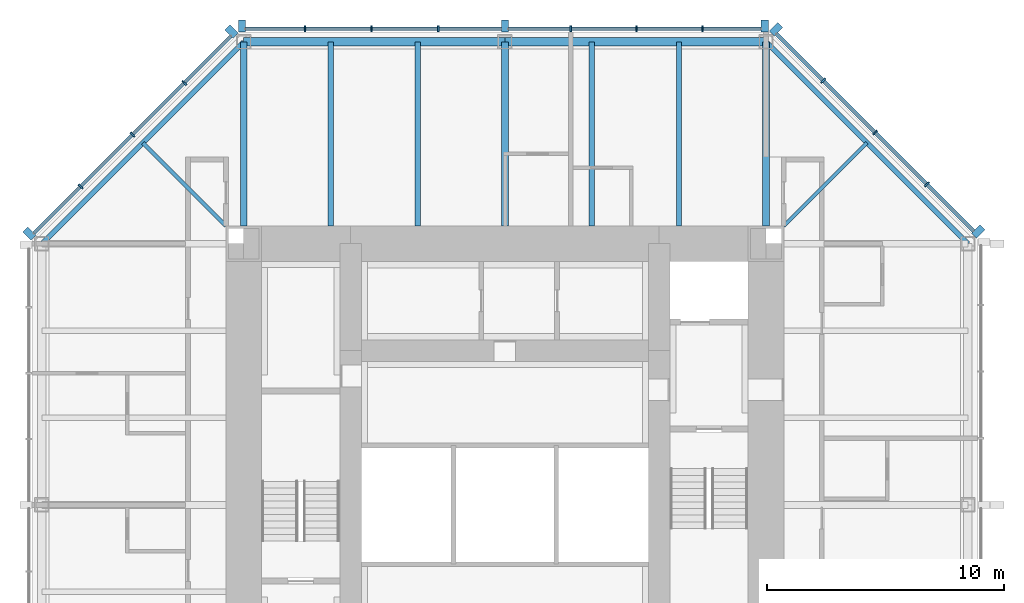
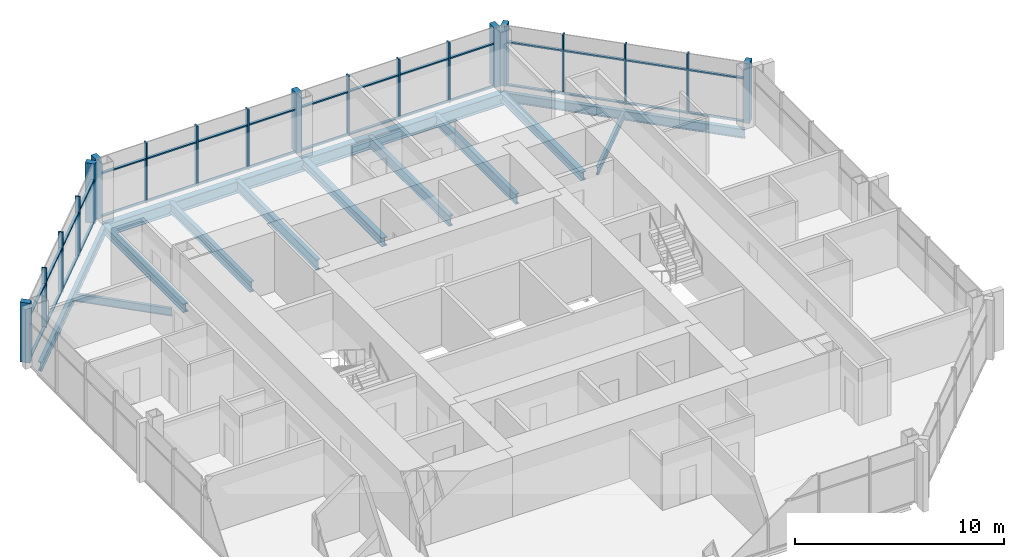
# One storey, part 5 of 11: 51 members, 13 beams, 3 elements without a shape of their own.
"""IFC4 building model written with IfcOpenShell, lengths in metres."""

from ifc_helpers import new_model, si_unit, direction, frame, origin, origin_2d, place, context, subcontext, project, spatial, rectangle, i_section, extrude, material, material_profile, profile_set, type_object, element, aggregate, save


model = new_model("IFC4")

# Units and contexts
model_context = context("Model", 3, precision=1e-05, world=origin(), true_north=direction((0.0, 1.0)))
body_context = subcontext(model_context, "Body", "Model", "MODEL_VIEW")
ifc_project = project(units=[si_unit("LENGTHUNIT", "METRE"), si_unit("AREAUNIT", "SQUARE_METRE"), si_unit("VOLUMEUNIT", "CUBIC_METRE"), si_unit("PLANEANGLEUNIT", "RADIAN"), si_unit("MASSUNIT", "GRAM", prefix="KILO")], contexts=[model_context])

# Site, building, storey
site_placement = place(None, origin())
site = spatial("IfcSite", under=ifc_project, at=site_placement, CompositionType="ELEMENT")
building_placement = place(site_placement, origin())
building = spatial("IfcBuilding", under=site, at=building_placement, Name="Trevanion Tower", CompositionType="ELEMENT")
storey_placement = place(building_placement, frame((0.0, 0.0, 243.199951171875)))
storey = spatial("IfcBuildingStorey", under=building, at=storey_placement, Name="L59", CompositionType="ELEMENT", Elevation=243.199951171875)

# Beams
ifc_material_1 = material(Name="Steel ASTM A992 Grade 50", Category="steel")
ifc_material_profile_1 = material_profile(ifc_material_1, i_section(OverallWidth=0.228271484375, OverallDepth=0.607177734375, WebThickness=0.01123046875, FlangeThickness=0.017333984375, at=origin_2d()), Name="W24X76")
ifc_profile_set_1 = profile_set([ifc_material_profile_1], Name="Steel ASTM A992 Grade 50")
beam_type_1 = type_object("IfcBeamType", Name="B11 W24X76", PredefinedType="BEAM", material=ifc_profile_set_1)
for number, where, z_axis, x_axis, name in (
    (1, (7.333251953125, 11.75, -0.493408203125), (0.0, 1.0, 0.0), (-1.0, 0.0, 0.0), "B11 L59"),
    (2, (3.666748046875, 11.75, -0.493408203125), (0.0, 1.0, 0.0), (-1.0, 0.0, 0.0), "B11 L59"),
    (3, (-3.666748046875, 11.75, -0.493408203125), (0.0, 1.0, 0.0), (-1.0, 0.0, 0.0), "B11 L59"),
    (4, (-7.333251953125, 11.75, -0.493408203125), (0.0, 1.0, 0.0), (-1.0, 0.0, 0.0), "B11 L59"),
):
    element("IfcBeam", number, at=place(storey_placement, frame(where, z_axis=z_axis, x_axis=x_axis)), inside=storey, type_object=beam_type_1, Name=name, PredefinedType="BEAM", context=body_context, shape_type="SweptSolid", body=[
        extrude(i_section(OverallWidth=0.228271484375, OverallDepth=0.607177734375, WebThickness=0.01123046875, FlangeThickness=0.017333984375, at=origin_2d()), origin(), (0.0, 0.0, 1.0), 7.75),
    ])
ifc_material_2 = material(Name="Steel ASTM A992 Grade 50", Category="steel")
ifc_material_profile_2 = material_profile(ifc_material_2, i_section(OverallWidth=0.15234375, OverallDepth=0.449462890625, WebThickness=0.007568359375, FlangeThickness=0.0107421875, at=origin_2d()), Name="W18X35")
ifc_profile_set_2 = profile_set([ifc_material_profile_2], Name="Steel ASTM A992 Grade 50")
beam_type_2 = type_object("IfcBeamType", Name="B12 W18X35", PredefinedType="BEAM", material=ifc_profile_set_2)
for number, where, z_axis, x_axis, name in (
    (5, (11.75, 11.75, -0.414794921875), (0.707106781187, 0.707106781187, 0.0), (-0.707106781187, 0.707106781187, 0.0), "B12 L59"),
    (6, (-11.75, 11.75, -0.414794921875), (-0.707106781187, 0.707106781187, 0.0), (-0.707106781187, -0.707106781187, 0.0), "B12 L59"),
):
    element("IfcBeam", number, at=place(storey_placement, frame(where, z_axis=z_axis, x_axis=x_axis)), inside=storey, type_object=beam_type_2, Name=name, PredefinedType="BEAM", context=body_context, shape_type="SweptSolid", body=[
        extrude(i_section(OverallWidth=0.15234375, OverallDepth=0.449462890625, WebThickness=0.007568359375, FlangeThickness=0.0107421875, at=origin_2d()), origin(), (0.0, 0.0, 1.0), 4.94970703125),
    ])

# Curtain wall, members
ifc_material_3 = material(Name="Aluminium and glass", Category="aluminium")
curtain_wall_type = type_object("IfcCurtainWallType", Name="CW3 curtain wall", PredefinedType="USERDEFINED", material=ifc_material_3)
curtain_wall_1_placement = place(storey_placement, origin())
curtain_wall_1 = element("IfcCurtainWall", 7, at=curtain_wall_1_placement, inside=storey, type_object=curtain_wall_type, Name="CW3 L59 1", ObjectType="UNITISED CURTAIN WALL", PredefinedType="USERDEFINED")
ifc_material_4 = material(Name="Aluminium extrusion, anodised bronze", Category="aluminium")
ifc_material_profile_3 = material_profile(ifc_material_4, rectangle(XDim=0.074951171875, YDim=0.25, at=origin_2d()), Name="CW3 mullion")
ifc_profile_set_3 = profile_set([ifc_material_profile_3], Name="Aluminium extrusion, anodised bronze")
member_type_1 = type_object("IfcMemberType", Name="CW3 mullion", PredefinedType="MULLION", material=ifc_profile_set_3)
member_1_placement = place(storey_placement, frame((17.775390625, 13.502197265625, -0.18994140625), z_axis=(0.0, 0.0, 1.0), x_axis=(-0.707106781187, 0.707106781187, 0.0)))
member_1 = element("IfcMember", 8, at=member_1_placement, type_object=member_type_1, Name="CW3 mullion 2", PredefinedType="MULLION", context=body_context, shape_type="SweptSolid", body=[
    extrude(rectangle(XDim=0.074951171875, YDim=0.25, at=origin_2d()), origin(), (0.0, 0.0, 1.0), 3.5),
])
member_2_placement = place(storey_placement, frame((15.593017578125, 15.684814453125, -0.18994140625), z_axis=(0.0, 0.0, 1.0), x_axis=(-0.707106781187, 0.707106781187, 0.0)))
member_2 = element("IfcMember", 9, at=member_2_placement, type_object=member_type_1, Name="CW3 mullion 3", PredefinedType="MULLION", context=body_context, shape_type="SweptSolid", body=[
    extrude(rectangle(XDim=0.074951171875, YDim=0.25, at=origin_2d()), origin(), (0.0, 0.0, 1.0), 3.5),
])
member_3_placement = place(storey_placement, frame((13.410400390625, 17.867431640625, -0.18994140625), z_axis=(0.0, 0.0, 1.0), x_axis=(-0.707106781187, 0.707106781187, 0.0)))
member_3 = element("IfcMember", 10, at=member_3_placement, type_object=member_type_1, Name="CW3 mullion 4", PredefinedType="MULLION", context=body_context, shape_type="SweptSolid", body=[
    extrude(rectangle(XDim=0.074951171875, YDim=0.25, at=origin_2d()), origin(), (0.0, 0.0, 1.0), 3.5),
])

curtain_wall_2_placement = place(storey_placement, origin())
curtain_wall_2 = element("IfcCurtainWall", 11, at=curtain_wall_2_placement, inside=storey, type_object=curtain_wall_type, Name="CW3 L59 2", ObjectType="UNITISED CURTAIN WALL", PredefinedType="USERDEFINED")
member_4_placement = place(storey_placement, frame((8.323486328125, 20.050048828125, -0.18994140625), z_axis=(0.0, 0.0, 1.0), x_axis=(-1.0, 0.0, 0.0)))
member_4 = element("IfcMember", 12, at=member_4_placement, type_object=member_type_1, Name="CW3 mullion 2", PredefinedType="MULLION", context=body_context, shape_type="SweptSolid", body=[
    extrude(rectangle(XDim=0.074951171875, YDim=0.25, at=origin_2d()), origin(), (0.0, 0.0, 1.0), 3.5),
])
member_5_placement = place(storey_placement, frame((5.548828125, 20.050048828125, -0.18994140625), z_axis=(0.0, 0.0, 1.0), x_axis=(-1.0, 0.0, 0.0)))
member_5 = element("IfcMember", 13, at=member_5_placement, type_object=member_type_1, Name="CW3 mullion 3", PredefinedType="MULLION", context=body_context, shape_type="SweptSolid", body=[
    extrude(rectangle(XDim=0.074951171875, YDim=0.25, at=origin_2d()), origin(), (0.0, 0.0, 1.0), 3.5),
])
member_6_placement = place(storey_placement, frame((2.7744140625, 20.050048828125, -0.18994140625), z_axis=(0.0, 0.0, 1.0), x_axis=(-1.0, 0.0, 0.0)))
member_6 = element("IfcMember", 14, at=member_6_placement, type_object=member_type_1, Name="CW3 mullion 4", PredefinedType="MULLION", context=body_context, shape_type="SweptSolid", body=[
    extrude(rectangle(XDim=0.074951171875, YDim=0.25, at=origin_2d()), origin(), (0.0, 0.0, 1.0), 3.5),
])
member_7_placement = place(storey_placement, frame((-2.806884765625, 20.050048828125, -0.18994140625), z_axis=(0.0, 0.0, 1.0), x_axis=(-1.0, 0.0, 0.0)))
member_7 = element("IfcMember", 15, at=member_7_placement, type_object=member_type_1, Name="CW3 mullion 6", PredefinedType="MULLION", context=body_context, shape_type="SweptSolid", body=[
    extrude(rectangle(XDim=0.074951171875, YDim=0.25, at=origin_2d()), origin(), (0.0, 0.0, 1.0), 3.5),
])
member_8_placement = place(storey_placement, frame((-5.614013671875, 20.050048828125, -0.18994140625), z_axis=(0.0, 0.0, 1.0), x_axis=(-1.0, 0.0, 0.0)))
member_8 = element("IfcMember", 16, at=member_8_placement, type_object=member_type_1, Name="CW3 mullion 7", PredefinedType="MULLION", context=body_context, shape_type="SweptSolid", body=[
    extrude(rectangle(XDim=0.074951171875, YDim=0.25, at=origin_2d()), origin(), (0.0, 0.0, 1.0), 3.5),
])
member_9_placement = place(storey_placement, frame((-8.4208984375, 20.050048828125, -0.18994140625), z_axis=(0.0, 0.0, 1.0), x_axis=(-1.0, 0.0, 0.0)))
member_9 = element("IfcMember", 17, at=member_9_placement, type_object=member_type_1, Name="CW3 mullion 8", PredefinedType="MULLION", context=body_context, shape_type="SweptSolid", body=[
    extrude(rectangle(XDim=0.074951171875, YDim=0.25, at=origin_2d()), origin(), (0.0, 0.0, 1.0), 3.5),
])

curtain_wall_3_placement = place(storey_placement, origin())
curtain_wall_3 = element("IfcCurtainWall", 18, at=curtain_wall_3_placement, inside=storey, type_object=curtain_wall_type, Name="CW3 L59 3", ObjectType="UNITISED CURTAIN WALL", PredefinedType="USERDEFINED")
member_10_placement = place(storey_placement, frame((-13.502197265625, 17.775390625, -0.18994140625), z_axis=(0.0, 0.0, 1.0), x_axis=(-0.707106781187, -0.707106781187, 0.0)))
member_10 = element("IfcMember", 19, at=member_10_placement, type_object=member_type_1, Name="CW3 mullion 2", PredefinedType="MULLION", context=body_context, shape_type="SweptSolid", body=[
    extrude(rectangle(XDim=0.074951171875, YDim=0.25, at=origin_2d()), origin(), (0.0, 0.0, 1.0), 3.5),
])
member_11_placement = place(storey_placement, frame((-15.684814453125, 15.593017578125, -0.18994140625), z_axis=(0.0, 0.0, 1.0), x_axis=(-0.707106781187, -0.707106781187, 0.0)))
member_11 = element("IfcMember", 20, at=member_11_placement, type_object=member_type_1, Name="CW3 mullion 3", PredefinedType="MULLION", context=body_context, shape_type="SweptSolid", body=[
    extrude(rectangle(XDim=0.074951171875, YDim=0.25, at=origin_2d()), origin(), (0.0, 0.0, 1.0), 3.5),
])
member_12_placement = place(storey_placement, frame((-17.867431640625, 13.410400390625, -0.18994140625), z_axis=(0.0, 0.0, 1.0), x_axis=(-0.707106781187, -0.707106781187, 0.0)))
member_12 = element("IfcMember", 21, at=member_12_placement, type_object=member_type_1, Name="CW3 mullion 4", PredefinedType="MULLION", context=body_context, shape_type="SweptSolid", body=[
    extrude(rectangle(XDim=0.074951171875, YDim=0.25, at=origin_2d()), origin(), (0.0, 0.0, 1.0), 3.5),
])

# Member
ifc_material_5 = material(Name="Aluminium extrusion, anodised bronze", Category="aluminium")
ifc_material_profile_4 = material_profile(ifc_material_5, rectangle(XDim=0.300048828125, YDim=0.5, at=origin_2d()), Name="CW3 pier mullion")
ifc_profile_set_4 = profile_set([ifc_material_profile_4], Name="Aluminium extrusion, anodised bronze")
member_type_2 = type_object("IfcMemberType", Name="CW3 pier mullion", PredefinedType="MULLION", material=ifc_profile_set_4)
member_13_placement = place(storey_placement, frame((19.9404296875, 11.51416015625, -0.18994140625), z_axis=(0.0, 0.0, 1.0), x_axis=(-0.707106781187, 0.707106781187, 0.0)))
member_13 = element("IfcMember", 22, at=member_13_placement, type_object=member_type_2, Name="CW3 pier mullion 1", PredefinedType="MULLION", context=body_context, shape_type="SweptSolid", body=[
    extrude(rectangle(XDim=0.300048828125, YDim=0.5, at=origin_2d()), origin(), (0.0, 0.0, 1.0), 3.5),
])

member_14_placement = place(storey_placement, frame((11.42236328125, 20.0322265625, -0.18994140625), z_axis=(0.0, 0.0, 1.0), x_axis=(-0.707106781187, 0.707106781187, 0.0)))
member_14 = element("IfcMember", 23, at=member_14_placement, type_object=member_type_2, Name="CW3 pier mullion 5", PredefinedType="MULLION", context=body_context, shape_type="SweptSolid", body=[
    extrude(rectangle(XDim=0.300048828125, YDim=0.5, at=origin_2d()), origin(), (0.0, 0.0, 1.0), 3.5),
])

member_15_placement = place(storey_placement, frame((10.94775390625, 20.175048828125, -0.18994140625), z_axis=(0.0, 0.0, 1.0), x_axis=(-1.0, 0.0, 0.0)))
member_15 = element("IfcMember", 24, at=member_15_placement, type_object=member_type_2, Name="CW3 pier mullion 1", PredefinedType="MULLION", context=body_context, shape_type="SweptSolid", body=[
    extrude(rectangle(XDim=0.300048828125, YDim=0.5, at=origin_2d()), origin(), (0.0, 0.0, 1.0), 3.5),
])

member_16_placement = place(storey_placement, frame((0.0, 20.175048828125, -0.18994140625), z_axis=(0.0, 0.0, 1.0), x_axis=(-1.0, 0.0, 0.0)))
member_16 = element("IfcMember", 25, at=member_16_placement, type_object=member_type_2, Name="CW3 pier mullion 5", PredefinedType="MULLION", context=body_context, shape_type="SweptSolid", body=[
    extrude(rectangle(XDim=0.300048828125, YDim=0.5, at=origin_2d()), origin(), (0.0, 0.0, 1.0), 3.5),
])

member_17_placement = place(storey_placement, frame((-11.077880859375, 20.175048828125, -0.18994140625), z_axis=(0.0, 0.0, 1.0), x_axis=(-1.0, 0.0, 0.0)))
member_17 = element("IfcMember", 26, at=member_17_placement, type_object=member_type_2, Name="CW3 pier mullion 9", PredefinedType="MULLION", context=body_context, shape_type="SweptSolid", body=[
    extrude(rectangle(XDim=0.300048828125, YDim=0.5, at=origin_2d()), origin(), (0.0, 0.0, 1.0), 3.5),
])

member_18_placement = place(storey_placement, frame((-11.51416015625, 19.9404296875, -0.18994140625), z_axis=(0.0, 0.0, 1.0), x_axis=(-0.707106781187, -0.707106781187, 0.0)))
member_18 = element("IfcMember", 27, at=member_18_placement, type_object=member_type_2, Name="CW3 pier mullion 1", PredefinedType="MULLION", context=body_context, shape_type="SweptSolid", body=[
    extrude(rectangle(XDim=0.300048828125, YDim=0.5, at=origin_2d()), origin(), (0.0, 0.0, 1.0), 3.5),
])

member_19_placement = place(storey_placement, frame((-20.0322265625, 11.42236328125, -0.18994140625), z_axis=(0.0, 0.0, 1.0), x_axis=(-0.707106781187, -0.707106781187, 0.0)))
member_19 = element("IfcMember", 28, at=member_19_placement, type_object=member_type_2, Name="CW3 pier mullion 5", PredefinedType="MULLION", context=body_context, shape_type="SweptSolid", body=[
    extrude(rectangle(XDim=0.300048828125, YDim=0.5, at=origin_2d()), origin(), (0.0, 0.0, 1.0), 3.5),
])

ifc_material_6 = material(Name="Aluminium extrusion, anodised bronze", Category="aluminium")
ifc_material_profile_5 = material_profile(ifc_material_6, rectangle(XDim=0.14990234375, YDim=0.074951171875, at=origin_2d()), Name="CW3 transom")
ifc_profile_set_5 = profile_set([ifc_material_profile_5], Name="Aluminium extrusion, anodised bronze")
member_type_3 = type_object("IfcMemberType", Name="CW3 transom", PredefinedType="USERDEFINED", material=ifc_profile_set_5)
member_20_placement = place(storey_placement, frame((19.745849609375, 11.531982421875, -0.15234375), z_axis=(-0.707106781187, 0.707106781187, 0.0), x_axis=(-0.707106781187, -0.707106781187, 0.0)))
member_20 = element("IfcMember", 29, at=member_20_placement, type_object=member_type_3, Name="CW3 transom 1.1", ObjectType="TRANSOM", PredefinedType="USERDEFINED", context=body_context, shape_type="SweptSolid", body=[
    extrude(rectangle(XDim=0.14990234375, YDim=0.074951171875, at=origin_2d()), origin(), (0.0, 0.0, 1.0), 2.7490234375),
])

member_21_placement = place(storey_placement, frame((19.745849609375, 11.531982421875, 2.360107421875), z_axis=(-0.707106781187, 0.707106781187, 0.0), x_axis=(-0.707106781187, -0.707106781187, 0.0)))
member_21 = element("IfcMember", 30, at=member_21_placement, type_object=member_type_3, Name="CW3 transom 1.2", ObjectType="TRANSOM", PredefinedType="USERDEFINED", context=body_context, shape_type="SweptSolid", body=[
    extrude(rectangle(XDim=0.14990234375, YDim=0.074951171875, at=origin_2d()), origin(), (0.0, 0.0, 1.0), 2.7490234375),
])

member_22_placement = place(storey_placement, frame((17.7490234375, 13.52880859375, -0.15234375), z_axis=(-0.707106781187, 0.707106781187, 0.0), x_axis=(-0.707106781187, -0.707106781187, 0.0)))
member_22 = element("IfcMember", 31, at=member_22_placement, type_object=member_type_3, Name="CW3 transom 2.1", ObjectType="TRANSOM", PredefinedType="USERDEFINED", context=body_context, shape_type="SweptSolid", body=[
    extrude(rectangle(XDim=0.14990234375, YDim=0.074951171875, at=origin_2d()), origin(), (0.0, 0.0, 1.0), 3.01171875),
])

member_23_placement = place(storey_placement, frame((17.7490234375, 13.52880859375, 2.360107421875), z_axis=(-0.707106781187, 0.707106781187, 0.0), x_axis=(-0.707106781187, -0.707106781187, 0.0)))
member_23 = element("IfcMember", 32, at=member_23_placement, type_object=member_type_3, Name="CW3 transom 2.2", ObjectType="TRANSOM", PredefinedType="USERDEFINED", context=body_context, shape_type="SweptSolid", body=[
    extrude(rectangle(XDim=0.14990234375, YDim=0.074951171875, at=origin_2d()), origin(), (0.0, 0.0, 1.0), 3.01171875),
])

member_24_placement = place(storey_placement, frame((15.56640625, 15.71142578125, -0.15234375), z_axis=(-0.707106781187, 0.707106781187, 0.0), x_axis=(-0.707106781187, -0.707106781187, 0.0)))
member_24 = element("IfcMember", 33, at=member_24_placement, type_object=member_type_3, Name="CW3 transom 3.1", ObjectType="TRANSOM", PredefinedType="USERDEFINED", context=body_context, shape_type="SweptSolid", body=[
    extrude(rectangle(XDim=0.14990234375, YDim=0.074951171875, at=origin_2d()), origin(), (0.0, 0.0, 1.0), 3.011474609375),
])

member_25_placement = place(storey_placement, frame((15.56640625, 15.71142578125, 2.360107421875), z_axis=(-0.707106781187, 0.707106781187, 0.0), x_axis=(-0.707106781187, -0.707106781187, 0.0)))
member_25 = element("IfcMember", 34, at=member_25_placement, type_object=member_type_3, Name="CW3 transom 3.2", ObjectType="TRANSOM", PredefinedType="USERDEFINED", context=body_context, shape_type="SweptSolid", body=[
    extrude(rectangle(XDim=0.14990234375, YDim=0.074951171875, at=origin_2d()), origin(), (0.0, 0.0, 1.0), 3.011474609375),
])

member_26_placement = place(storey_placement, frame((13.3837890625, 17.89404296875, -0.15234375), z_axis=(-0.707106781187, 0.707106781187, 0.0), x_axis=(-0.707106781187, -0.707106781187, 0.0)))
member_26 = element("IfcMember", 35, at=member_26_placement, type_object=member_type_3, Name="CW3 transom 4.1", ObjectType="TRANSOM", PredefinedType="USERDEFINED", context=body_context, shape_type="SweptSolid", body=[
    extrude(rectangle(XDim=0.14990234375, YDim=0.074951171875, at=origin_2d()), origin(), (0.0, 0.0, 1.0), 2.7490234375),
])

member_27_placement = place(storey_placement, frame((13.3837890625, 17.89404296875, 2.360107421875), z_axis=(-0.707106781187, 0.707106781187, 0.0), x_axis=(-0.707106781187, -0.707106781187, 0.0)))
member_27 = element("IfcMember", 36, at=member_27_placement, type_object=member_type_3, Name="CW3 transom 4.2", ObjectType="TRANSOM", PredefinedType="USERDEFINED", context=body_context, shape_type="SweptSolid", body=[
    extrude(rectangle(XDim=0.14990234375, YDim=0.074951171875, at=origin_2d()), origin(), (0.0, 0.0, 1.0), 2.7490234375),
])

aggregate(curtain_wall_1, [member_13, member_1, member_2, member_3, member_14, member_20, member_21, member_22, member_23, member_24, member_25, member_26, member_27])

member_28_placement = place(storey_placement, frame((10.7978515625, 20.050048828125, -0.15234375), z_axis=(-1.0, 0.0, 0.0), x_axis=(0.0, -1.0, 0.0)))
member_28 = element("IfcMember", 37, at=member_28_placement, type_object=member_type_3, Name="CW3 transom 1.1", ObjectType="TRANSOM", PredefinedType="USERDEFINED", context=body_context, shape_type="SweptSolid", body=[
    extrude(rectangle(XDim=0.14990234375, YDim=0.074951171875, at=origin_2d()), origin(), (0.0, 0.0, 1.0), 2.43701171875),
])

member_29_placement = place(storey_placement, frame((10.7978515625, 20.050048828125, 2.360107421875), z_axis=(-1.0, 0.0, 0.0), x_axis=(0.0, -1.0, 0.0)))
member_29 = element("IfcMember", 38, at=member_29_placement, type_object=member_type_3, Name="CW3 transom 1.2", ObjectType="TRANSOM", PredefinedType="USERDEFINED", context=body_context, shape_type="SweptSolid", body=[
    extrude(rectangle(XDim=0.14990234375, YDim=0.074951171875, at=origin_2d()), origin(), (0.0, 0.0, 1.0), 2.43701171875),
])

member_30_placement = place(storey_placement, frame((8.285888671875, 20.050048828125, -0.15234375), z_axis=(-1.0, 0.0, 0.0), x_axis=(0.0, -1.0, 0.0)))
member_30 = element("IfcMember", 39, at=member_30_placement, type_object=member_type_3, Name="CW3 transom 2.1", ObjectType="TRANSOM", PredefinedType="USERDEFINED", context=body_context, shape_type="SweptSolid", body=[
    extrude(rectangle(XDim=0.14990234375, YDim=0.074951171875, at=origin_2d()), origin(), (0.0, 0.0, 1.0), 2.699462890625),
])

member_31_placement = place(storey_placement, frame((8.285888671875, 20.050048828125, 2.360107421875), z_axis=(-1.0, 0.0, 0.0), x_axis=(0.0, -1.0, 0.0)))
member_31 = element("IfcMember", 40, at=member_31_placement, type_object=member_type_3, Name="CW3 transom 2.2", ObjectType="TRANSOM", PredefinedType="USERDEFINED", context=body_context, shape_type="SweptSolid", body=[
    extrude(rectangle(XDim=0.14990234375, YDim=0.074951171875, at=origin_2d()), origin(), (0.0, 0.0, 1.0), 2.699462890625),
])

member_32_placement = place(storey_placement, frame((5.511474609375, 20.050048828125, -0.15234375), z_axis=(-1.0, 0.0, 0.0), x_axis=(0.0, -1.0, 0.0)))
member_32 = element("IfcMember", 41, at=member_32_placement, type_object=member_type_3, Name="CW3 transom 3.1", ObjectType="TRANSOM", PredefinedType="USERDEFINED", context=body_context, shape_type="SweptSolid", body=[
    extrude(rectangle(XDim=0.14990234375, YDim=0.074951171875, at=origin_2d()), origin(), (0.0, 0.0, 1.0), 2.699462890625),
])

member_33_placement = place(storey_placement, frame((5.511474609375, 20.050048828125, 2.360107421875), z_axis=(-1.0, 0.0, 0.0), x_axis=(0.0, -1.0, 0.0)))
member_33 = element("IfcMember", 42, at=member_33_placement, type_object=member_type_3, Name="CW3 transom 3.2", ObjectType="TRANSOM", PredefinedType="USERDEFINED", context=body_context, shape_type="SweptSolid", body=[
    extrude(rectangle(XDim=0.14990234375, YDim=0.074951171875, at=origin_2d()), origin(), (0.0, 0.0, 1.0), 2.699462890625),
])

member_34_placement = place(storey_placement, frame((2.737060546875, 20.050048828125, -0.15234375), z_axis=(-1.0, 0.0, 0.0), x_axis=(0.0, -1.0, 0.0)))
member_34 = element("IfcMember", 43, at=member_34_placement, type_object=member_type_3, Name="CW3 transom 4.1", ObjectType="TRANSOM", PredefinedType="USERDEFINED", context=body_context, shape_type="SweptSolid", body=[
    extrude(rectangle(XDim=0.14990234375, YDim=0.074951171875, at=origin_2d()), origin(), (0.0, 0.0, 1.0), 2.587158203125),
])

member_35_placement = place(storey_placement, frame((2.737060546875, 20.050048828125, 2.360107421875), z_axis=(-1.0, 0.0, 0.0), x_axis=(0.0, -1.0, 0.0)))
member_35 = element("IfcMember", 44, at=member_35_placement, type_object=member_type_3, Name="CW3 transom 4.2", ObjectType="TRANSOM", PredefinedType="USERDEFINED", context=body_context, shape_type="SweptSolid", body=[
    extrude(rectangle(XDim=0.14990234375, YDim=0.074951171875, at=origin_2d()), origin(), (0.0, 0.0, 1.0), 2.587158203125),
])

member_36_placement = place(storey_placement, frame((-0.14990234375, 20.050048828125, -0.15234375), z_axis=(-1.0, 0.0, 0.0), x_axis=(0.0, -1.0, 0.0)))
member_36 = element("IfcMember", 45, at=member_36_placement, type_object=member_type_3, Name="CW3 transom 5.1", ObjectType="TRANSOM", PredefinedType="USERDEFINED", context=body_context, shape_type="SweptSolid", body=[
    extrude(rectangle(XDim=0.14990234375, YDim=0.074951171875, at=origin_2d()), origin(), (0.0, 0.0, 1.0), 2.619384765625),
])

member_37_placement = place(storey_placement, frame((-0.14990234375, 20.050048828125, 2.360107421875), z_axis=(-1.0, 0.0, 0.0), x_axis=(0.0, -1.0, 0.0)))
member_37 = element("IfcMember", 46, at=member_37_placement, type_object=member_type_3, Name="CW3 transom 5.2", ObjectType="TRANSOM", PredefinedType="USERDEFINED", context=body_context, shape_type="SweptSolid", body=[
    extrude(rectangle(XDim=0.14990234375, YDim=0.074951171875, at=origin_2d()), origin(), (0.0, 0.0, 1.0), 2.619384765625),
])

member_38_placement = place(storey_placement, frame((-2.844482421875, 20.050048828125, -0.15234375), z_axis=(-1.0, 0.0, 0.0), x_axis=(0.0, -1.0, 0.0)))
member_38 = element("IfcMember", 47, at=member_38_placement, type_object=member_type_3, Name="CW3 transom 6.1", ObjectType="TRANSOM", PredefinedType="USERDEFINED", context=body_context, shape_type="SweptSolid", body=[
    extrude(rectangle(XDim=0.14990234375, YDim=0.074951171875, at=origin_2d()), origin(), (0.0, 0.0, 1.0), 2.73193359375),
])

member_39_placement = place(storey_placement, frame((-2.844482421875, 20.050048828125, 2.360107421875), z_axis=(-1.0, 0.0, 0.0), x_axis=(0.0, -1.0, 0.0)))
member_39 = element("IfcMember", 48, at=member_39_placement, type_object=member_type_3, Name="CW3 transom 6.2", ObjectType="TRANSOM", PredefinedType="USERDEFINED", context=body_context, shape_type="SweptSolid", body=[
    extrude(rectangle(XDim=0.14990234375, YDim=0.074951171875, at=origin_2d()), origin(), (0.0, 0.0, 1.0), 2.73193359375),
])

member_40_placement = place(storey_placement, frame((-5.6513671875, 20.050048828125, -0.15234375), z_axis=(-1.0, 0.0, 0.0), x_axis=(0.0, -1.0, 0.0)))
member_40 = element("IfcMember", 49, at=member_40_placement, type_object=member_type_3, Name="CW3 transom 7.1", ObjectType="TRANSOM", PredefinedType="USERDEFINED", context=body_context, shape_type="SweptSolid", body=[
    extrude(rectangle(XDim=0.14990234375, YDim=0.074951171875, at=origin_2d()), origin(), (0.0, 0.0, 1.0), 2.73193359375),
])

member_41_placement = place(storey_placement, frame((-5.6513671875, 20.050048828125, 2.360107421875), z_axis=(-1.0, 0.0, 0.0), x_axis=(0.0, -1.0, 0.0)))
member_41 = element("IfcMember", 50, at=member_41_placement, type_object=member_type_3, Name="CW3 transom 7.2", ObjectType="TRANSOM", PredefinedType="USERDEFINED", context=body_context, shape_type="SweptSolid", body=[
    extrude(rectangle(XDim=0.14990234375, YDim=0.074951171875, at=origin_2d()), origin(), (0.0, 0.0, 1.0), 2.73193359375),
])

member_42_placement = place(storey_placement, frame((-8.45849609375, 20.050048828125, -0.15234375), z_axis=(-1.0, 0.0, 0.0), x_axis=(0.0, -1.0, 0.0)))
member_42 = element("IfcMember", 51, at=member_42_placement, type_object=member_type_3, Name="CW3 transom 8.1", ObjectType="TRANSOM", PredefinedType="USERDEFINED", context=body_context, shape_type="SweptSolid", body=[
    extrude(rectangle(XDim=0.14990234375, YDim=0.074951171875, at=origin_2d()), origin(), (0.0, 0.0, 1.0), 2.46923828125),
])

member_43_placement = place(storey_placement, frame((-8.45849609375, 20.050048828125, 2.360107421875), z_axis=(-1.0, 0.0, 0.0), x_axis=(0.0, -1.0, 0.0)))
member_43 = element("IfcMember", 52, at=member_43_placement, type_object=member_type_3, Name="CW3 transom 8.2", ObjectType="TRANSOM", PredefinedType="USERDEFINED", context=body_context, shape_type="SweptSolid", body=[
    extrude(rectangle(XDim=0.14990234375, YDim=0.074951171875, at=origin_2d()), origin(), (0.0, 0.0, 1.0), 2.46923828125),
])

aggregate(curtain_wall_2, [member_15, member_4, member_5, member_6, member_16, member_7, member_8, member_9, member_17, member_28, member_29, member_30, member_31, member_32, member_33, member_34, member_35, member_36, member_37, member_38, member_39, member_40, member_41, member_42, member_43])

member_44_placement = place(storey_placement, frame((-11.531982421875, 19.745849609375, -0.15234375), z_axis=(-0.707106781187, -0.707106781187, 0.0), x_axis=(0.707106781187, -0.707106781187, 0.0)))
member_44 = element("IfcMember", 53, at=member_44_placement, type_object=member_type_3, Name="CW3 transom 1.1", ObjectType="TRANSOM", PredefinedType="USERDEFINED", context=body_context, shape_type="SweptSolid", body=[
    extrude(rectangle(XDim=0.14990234375, YDim=0.074951171875, at=origin_2d()), origin(), (0.0, 0.0, 1.0), 2.7490234375),
])

member_45_placement = place(storey_placement, frame((-11.531982421875, 19.745849609375, 2.360107421875), z_axis=(-0.707106781187, -0.707106781187, 0.0), x_axis=(0.707106781187, -0.707106781187, 0.0)))
member_45 = element("IfcMember", 54, at=member_45_placement, type_object=member_type_3, Name="CW3 transom 1.2", ObjectType="TRANSOM", PredefinedType="USERDEFINED", context=body_context, shape_type="SweptSolid", body=[
    extrude(rectangle(XDim=0.14990234375, YDim=0.074951171875, at=origin_2d()), origin(), (0.0, 0.0, 1.0), 2.7490234375),
])

member_46_placement = place(storey_placement, frame((-13.52880859375, 17.7490234375, -0.15234375), z_axis=(-0.707106781187, -0.707106781187, 0.0), x_axis=(0.707106781187, -0.707106781187, 0.0)))
member_46 = element("IfcMember", 55, at=member_46_placement, type_object=member_type_3, Name="CW3 transom 2.1", ObjectType="TRANSOM", PredefinedType="USERDEFINED", context=body_context, shape_type="SweptSolid", body=[
    extrude(rectangle(XDim=0.14990234375, YDim=0.074951171875, at=origin_2d()), origin(), (0.0, 0.0, 1.0), 3.01171875),
])

member_47_placement = place(storey_placement, frame((-13.52880859375, 17.7490234375, 2.360107421875), z_axis=(-0.707106781187, -0.707106781187, 0.0), x_axis=(0.707106781187, -0.707106781187, 0.0)))
member_47 = element("IfcMember", 56, at=member_47_placement, type_object=member_type_3, Name="CW3 transom 2.2", ObjectType="TRANSOM", PredefinedType="USERDEFINED", context=body_context, shape_type="SweptSolid", body=[
    extrude(rectangle(XDim=0.14990234375, YDim=0.074951171875, at=origin_2d()), origin(), (0.0, 0.0, 1.0), 3.01171875),
])

member_48_placement = place(storey_placement, frame((-15.71142578125, 15.56640625, -0.15234375), z_axis=(-0.707106781187, -0.707106781187, 0.0), x_axis=(0.707106781187, -0.707106781187, 0.0)))
member_48 = element("IfcMember", 57, at=member_48_placement, type_object=member_type_3, Name="CW3 transom 3.1", ObjectType="TRANSOM", PredefinedType="USERDEFINED", context=body_context, shape_type="SweptSolid", body=[
    extrude(rectangle(XDim=0.14990234375, YDim=0.074951171875, at=origin_2d()), origin(), (0.0, 0.0, 1.0), 3.011474609375),
])

member_49_placement = place(storey_placement, frame((-15.71142578125, 15.56640625, 2.360107421875), z_axis=(-0.707106781187, -0.707106781187, 0.0), x_axis=(0.707106781187, -0.707106781187, 0.0)))
member_49 = element("IfcMember", 58, at=member_49_placement, type_object=member_type_3, Name="CW3 transom 3.2", ObjectType="TRANSOM", PredefinedType="USERDEFINED", context=body_context, shape_type="SweptSolid", body=[
    extrude(rectangle(XDim=0.14990234375, YDim=0.074951171875, at=origin_2d()), origin(), (0.0, 0.0, 1.0), 3.011474609375),
])

member_50_placement = place(storey_placement, frame((-17.89404296875, 13.3837890625, -0.15234375), z_axis=(-0.707106781187, -0.707106781187, 0.0), x_axis=(0.707106781187, -0.707106781187, 0.0)))
member_50 = element("IfcMember", 59, at=member_50_placement, type_object=member_type_3, Name="CW3 transom 4.1", ObjectType="TRANSOM", PredefinedType="USERDEFINED", context=body_context, shape_type="SweptSolid", body=[
    extrude(rectangle(XDim=0.14990234375, YDim=0.074951171875, at=origin_2d()), origin(), (0.0, 0.0, 1.0), 2.7490234375),
])

member_51_placement = place(storey_placement, frame((-17.89404296875, 13.3837890625, 2.360107421875), z_axis=(-0.707106781187, -0.707106781187, 0.0), x_axis=(0.707106781187, -0.707106781187, 0.0)))
member_51 = element("IfcMember", 60, at=member_51_placement, type_object=member_type_3, Name="CW3 transom 4.2", ObjectType="TRANSOM", PredefinedType="USERDEFINED", context=body_context, shape_type="SweptSolid", body=[
    extrude(rectangle(XDim=0.14990234375, YDim=0.074951171875, at=origin_2d()), origin(), (0.0, 0.0, 1.0), 2.7490234375),
])

aggregate(curtain_wall_3, [member_18, member_10, member_11, member_12, member_19, member_44, member_45, member_46, member_47, member_48, member_49, member_50, member_51])

# Beams
ifc_material_7 = material(Name="Steel ASTM A992 Grade 50", Category="steel")
ifc_material_profile_6 = material_profile(ifc_material_7, i_section(OverallWidth=0.28955078125, OverallDepth=0.508056640625, WebThickness=0.022705078125, FlangeThickness=0.040283203125, at=origin_2d()), Name="W18X175")
ifc_profile_set_6 = profile_set([ifc_material_profile_6], Name="Steel ASTM A992 Grade 50")
beam_type_3 = type_object("IfcBeamType", Name="G6 W18X175", PredefinedType="BEAM", material=ifc_profile_set_6)
for number, where, z_axis, x_axis, name in (
    (61, (11.0, 11.75, -0.44384765625), (0.0, 1.0, 0.0), (-1.0, 0.0, 0.0), "G6 L59"),
    (62, (0.0, 11.75, -0.44384765625), (0.0, 1.0, 0.0), (-1.0, 0.0, 0.0), "G6 L59"),
    (63, (-11.0, 11.75, -0.44384765625), (0.0, 1.0, 0.0), (-1.0, 0.0, 0.0), "G6 L59"),
):
    element("IfcBeam", number, at=place(storey_placement, frame(where, z_axis=z_axis, x_axis=x_axis)), inside=storey, type_object=beam_type_3, Name=name, PredefinedType="BEAM", context=body_context, shape_type="SweptSolid", body=[
        extrude(i_section(OverallWidth=0.28955078125, OverallDepth=0.508056640625, WebThickness=0.022705078125, FlangeThickness=0.040283203125, at=origin_2d()), origin(), (0.0, 0.0, 1.0), 7.75),
    ])
ifc_material_8 = material(Name="Steel ASTM A992 Grade 50", Category="steel")
ifc_material_profile_7 = material_profile(ifc_material_8, i_section(OverallWidth=0.355712890625, OverallDepth=0.696044921875, WebThickness=0.015380859375, FlangeThickness=0.024658203125, at=origin_2d()), Name="W27X146")
ifc_profile_set_7 = profile_set([ifc_material_profile_7], Name="Steel ASTM A992 Grade 50")
beam_type_4 = type_object("IfcBeamType", Name="SB8 W27X146", PredefinedType="SPANDREL", material=ifc_profile_set_7)
for number, where, z_axis, x_axis, name in (
    (64, (11.0, 19.5, -0.537841796875), (-1.0, 0.0, 0.0), (0.0, -1.0, 0.0), "SB8 L59"),
    (65, (0.0, 19.5, -0.537841796875), (-1.0, 0.0, 0.0), (0.0, -1.0, 0.0), "SB8 L59"),
):
    element("IfcBeam", number, at=place(storey_placement, frame(where, z_axis=z_axis, x_axis=x_axis)), inside=storey, type_object=beam_type_4, Name=name, PredefinedType="SPANDREL", context=body_context, shape_type="SweptSolid", body=[
        extrude(i_section(OverallWidth=0.355712890625, OverallDepth=0.696044921875, WebThickness=0.015380859375, FlangeThickness=0.024658203125, at=origin_2d()), origin(), (0.0, 0.0, 1.0), 11.0),
    ])
ifc_material_9 = material(Name="Steel ASTM A992 Grade 50", Category="steel")
ifc_material_profile_8 = material_profile(ifc_material_9, i_section(OverallWidth=0.209228515625, OverallDepth=0.533447265625, WebThickness=0.01025390625, FlangeThickness=0.015625, at=origin_2d()), Name="W21X62")
ifc_profile_set_8 = profile_set([ifc_material_profile_8], Name="Steel ASTM A992 Grade 50")
beam_type_5 = type_object("IfcBeamType", Name="SB9 W21X62", PredefinedType="SPANDREL", material=ifc_profile_set_8)
for number, where, z_axis, x_axis, name in (
    (66, (19.5, 11.0, -0.45654296875), (-0.707106781187, 0.707106781187, 0.0), (-0.707106781187, -0.707106781187, 0.0), "SB9 L59"),
    (67, (-11.0, 19.5, -0.45654296875), (-0.707106781187, -0.707106781187, 0.0), (0.707106781187, -0.707106781187, 0.0), "SB9 L59"),
):
    element("IfcBeam", number, at=place(storey_placement, frame(where, z_axis=z_axis, x_axis=x_axis)), inside=storey, type_object=beam_type_5, Name=name, PredefinedType="SPANDREL", context=body_context, shape_type="SweptSolid", body=[
        extrude(i_section(OverallWidth=0.209228515625, OverallDepth=0.533447265625, WebThickness=0.01025390625, FlangeThickness=0.015625, at=origin_2d()), origin(), (0.0, 0.0, 1.0), 12.020751953125),
    ])

save(model, "model.ifc")
